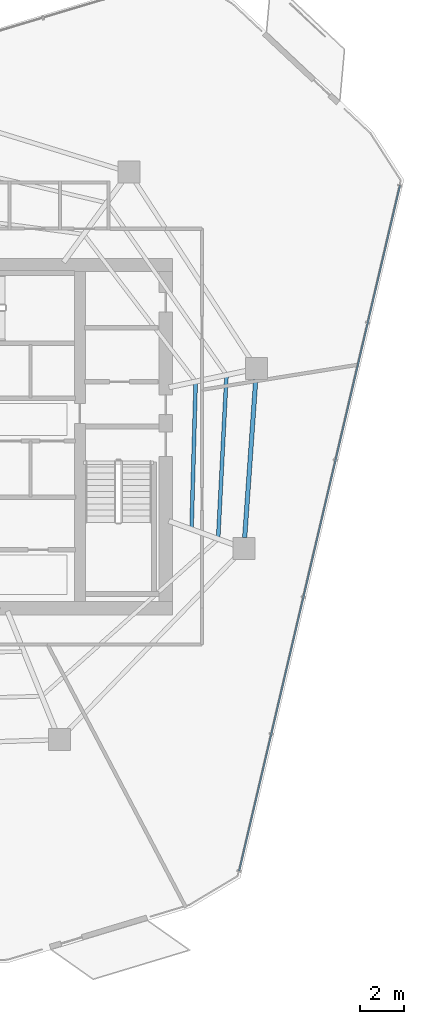
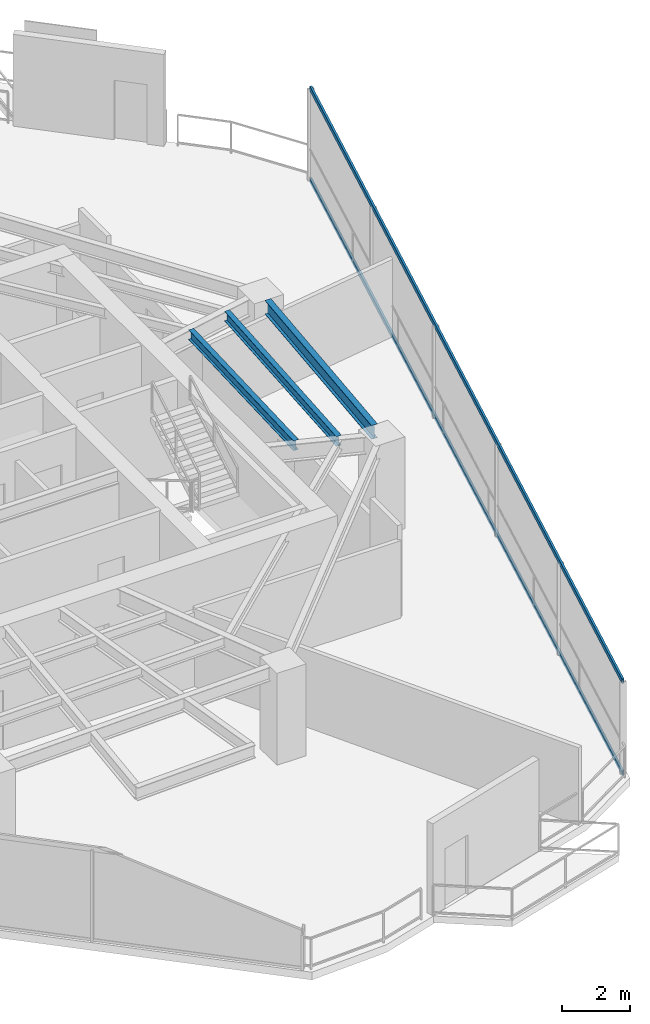
# One storey, part 9 of 19: 3 beams, 2 members, 1 element without a shape of its own.
"""IFC4 building model written with IfcOpenShell, lengths in metres."""

from ifc_helpers import new_model, si_unit, direction, frame, origin, origin_2d, place, context, subcontext, project, spatial, hollow_rectangle, i_section, extrude, material, layer, layer_set, material_profile, profile_set, type_object, element, aggregate, save


model = new_model("IFC4")

# Units and contexts
model_context = context("Model", 3, precision=1e-05, world=origin(), true_north=direction((0.0, 1.0)))
body_context = subcontext(model_context, "Body", "Model", "MODEL_VIEW")
ifc_project = project(units=[si_unit("LENGTHUNIT", "METRE"), si_unit("AREAUNIT", "SQUARE_METRE"), si_unit("VOLUMEUNIT", "CUBIC_METRE"), si_unit("PLANEANGLEUNIT", "RADIAN"), si_unit("MASSUNIT", "GRAM", prefix="KILO")], contexts=[model_context])

# Site, building, storey
site_placement = place(None, origin())
site = spatial("IfcSite", under=ifc_project, at=site_placement, CompositionType="ELEMENT")
building_placement = place(site_placement, origin())
building = spatial("IfcBuilding", under=site, at=building_placement, Name="Qarnah Convention Tower", CompositionType="ELEMENT")
storey_placement = place(building_placement, frame((0.0, 0.0, 129.300048828125)))
storey = spatial("IfcBuildingStorey", under=building, at=storey_placement, Name="L34", CompositionType="ELEMENT", Elevation=129.300048828125)

# Beams
ifc_material_1 = material(Name="Structural steel S355JR", Category="steel")
ifc_material_profile_1 = material_profile(ifc_material_1, i_section(OverallWidth=0.172119140625, OverallDepth=0.35595703125, WebThickness=0.007080078125, FlangeThickness=0.011962890625, at=origin_2d()), Name="W360X51")
ifc_profile_set_1 = profile_set([ifc_material_profile_1], Name="Structural steel S355JR")
beam_type_1 = type_object("IfcBeamType", Name="BM-JST-W360", PredefinedType="JOIST", material=ifc_profile_set_1)
beam_1_placement = place(storey_placement, frame((49.986083984375, 21.837890625, 3.141845703125), z_axis=(0.051212178911, 0.998687795425, 0.0), x_axis=(-0.998687795425, 0.051212178911, 0.0)))
element("IfcBeam", 1, at=beam_1_placement, inside=storey, type_object=beam_type_1, Name="L34 joist BM-L34-SJST-09", PredefinedType="JOIST", context=body_context, shape_type="SweptSolid", body=[
    extrude(i_section(OverallWidth=0.172119140625, OverallDepth=0.35595703125, WebThickness=0.007080078125, FlangeThickness=0.011962890625, at=origin_2d()), origin(), (0.0, 0.0, 1.0), 7.279541015625),
])
beam_2_placement = place(storey_placement, frame((48.77587890625, 22.278076171875, 3.141845703125), z_axis=(0.027875970867, 0.999611389615, 0.0), x_axis=(-0.999611389615, 0.027875970867, 0.0)))
element("IfcBeam", 2, at=beam_2_placement, inside=storey, type_object=beam_type_1, Name="L34 joist BM-L34-IJST-09", PredefinedType="JOIST", context=body_context, shape_type="SweptSolid", body=[
    extrude(i_section(OverallWidth=0.172119140625, OverallDepth=0.35595703125, WebThickness=0.007080078125, FlangeThickness=0.011962890625, at=origin_2d()), origin(), (0.0, 0.0, 1.0), 6.533447265625),
])
ifc_material_profile_2 = material_profile(ifc_material_1, i_section(OverallWidth=0.199951171875, OverallDepth=0.5, WebThickness=0.010009765625, FlangeThickness=0.01611328125, at=origin_2d()), Name="IPE500")
ifc_profile_set_2 = profile_set([ifc_material_profile_2], Name="Structural steel S355JR")
beam_type_2 = type_object("IfcBeamType", Name="BM-SPN-IPE500", PredefinedType="SPANDREL", material=ifc_profile_set_2)
beam_3_placement = place(storey_placement, frame((51.18798828125, 21.81005859375, 3.070068359375), z_axis=(0.069797433651, 0.997561185219, 0.0), x_axis=(-0.997561185219, 0.069797433651, 0.0)))
element("IfcBeam", 3, at=beam_3_placement, inside=storey, type_object=beam_type_2, Name="L34 spandrel BM-L34-SPN-09", PredefinedType="SPANDREL", context=body_context, shape_type="SweptSolid", body=[
    extrude(i_section(OverallWidth=0.199951171875, OverallDepth=0.5, WebThickness=0.010009765625, FlangeThickness=0.01611328125, at=origin_2d()), origin(), (0.0, 0.0, 1.0), 7.20556640625),
])

# Curtain wall, members
ifc_material_2 = material(Name="Tempered Low-E dark glass", Category="glass")
ifc_layer = layer(ifc_material_2, 0.172119140625)
ifc_layer_set = layer_set([ifc_layer], Name="Tempered Low-E dark glass")
curtain_wall_type = type_object("IfcCurtainWallType", Name="CWS-03", PredefinedType="NOTDEFINED", material=ifc_layer_set)
curtain_wall_placement = place(storey_placement, origin())
curtain_wall = element("IfcCurtainWall", 4, at=curtain_wall_placement, inside=storey, type_object=curtain_wall_type, Name="L34 unitised curtain wall CW-L34-F3", PredefinedType="NOTDEFINED")
ifc_material_3 = material(Name="Black anodised aluminium", Category="aluminium")
ifc_material_profile_3 = material_profile(ifc_material_3, hollow_rectangle(XDim=0.070068359375, YDim=0.169921875, WallThickness=0.0048828125, at=origin_2d()), Name="TRN-70X170")
ifc_profile_set_3 = profile_set([ifc_material_profile_3], Name="Black anodised aluminium")
member_type = type_object("IfcMemberType", Name="TRN-T3", PredefinedType="USERDEFINED", material=ifc_profile_set_3)
member_1_placement = place(storey_placement, frame((58.242919921875, 37.802001953125, 0.0), z_axis=(-0.228342106197, -0.973580958389, 0.0), x_axis=(0.973580958389, -0.228342106197, 0.0)))
member_1 = element("IfcMember", 5, at=member_1_placement, type_object=member_type, Name="CW-L34-F3 transom 1", ObjectType="TRANSOM", PredefinedType="USERDEFINED", context=body_context, shape_type="SweptSolid", body=[
    extrude(hollow_rectangle(XDim=0.070068359375, YDim=0.169921875, WallThickness=0.0048828125, at=origin_2d()), origin(), (0.0, 0.0, 1.0), 31.9912109375),
])
member_2_placement = place(storey_placement, frame((58.242919921875, 37.802001953125, 3.320068359375), z_axis=(-0.228342106197, -0.973580958389, 0.0), x_axis=(0.973580958389, -0.228342106197, 0.0)))
member_2 = element("IfcMember", 6, at=member_2_placement, type_object=member_type, Name="CW-L34-F3 transom 2", ObjectType="TRANSOM", PredefinedType="USERDEFINED", context=body_context, shape_type="SweptSolid", body=[
    extrude(hollow_rectangle(XDim=0.070068359375, YDim=0.169921875, WallThickness=0.0048828125, at=origin_2d()), origin(), (0.0, 0.0, 1.0), 31.9912109375),
])
aggregate(curtain_wall, [member_1, member_2])

save(model, "model.ifc")
